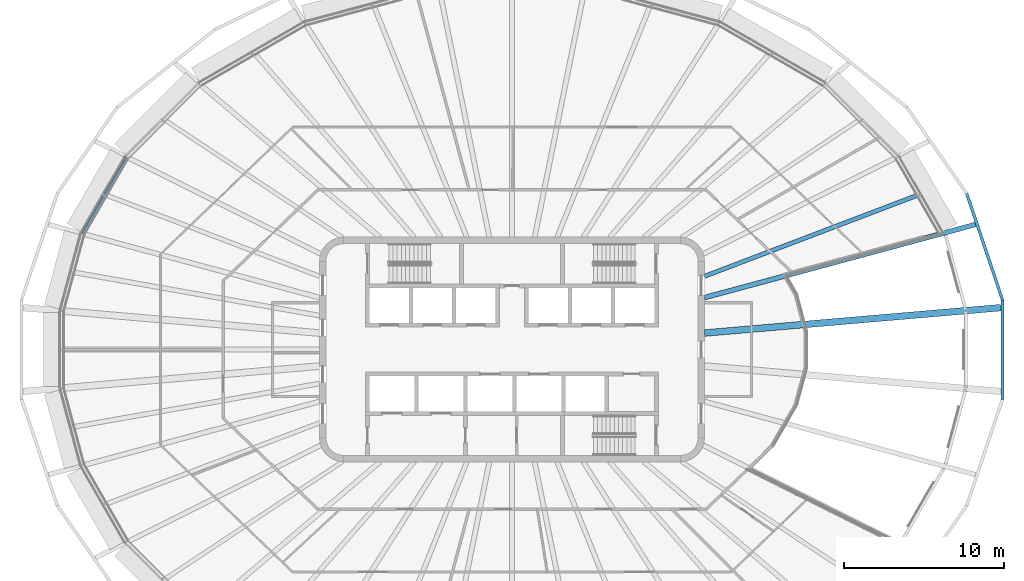
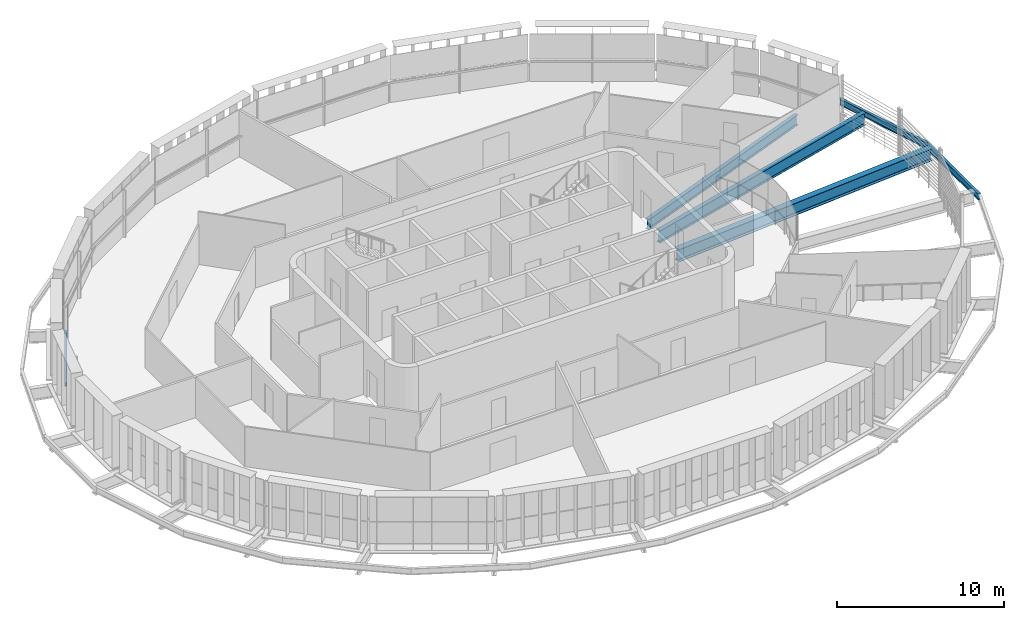
# One storey, part 4 of 17: 6 beams.
"""IFC4 building model written with IfcOpenShell, lengths in metres."""

from ifc_helpers import new_model, si_unit, direction, frame, origin, origin_2d, place, context, subcontext, project, spatial, i_section, extrude, material, material_profile, profile_set, type_object, element, save


model = new_model("IFC4")

# Units and contexts
model_context = context("Model", 3, precision=1e-05, world=origin(), true_north=direction((0.0, 1.0)))
body_context = subcontext(model_context, "Body", "Model", "MODEL_VIEW")
ifc_project = project(units=[si_unit("LENGTHUNIT", "METRE"), si_unit("AREAUNIT", "SQUARE_METRE"), si_unit("VOLUMEUNIT", "CUBIC_METRE"), si_unit("PLANEANGLEUNIT", "RADIAN"), si_unit("MASSUNIT", "GRAM", prefix="KILO")], contexts=[model_context])

# Site, building, storey
site_placement = place(None, origin())
site = spatial("IfcSite", under=ifc_project, at=site_placement, CompositionType="ELEMENT")
building_placement = place(site_placement, origin())
building = spatial("IfcBuilding", under=site, at=building_placement, Name="Sahrelin Media Tower", CompositionType="ELEMENT")
storey_placement = place(building_placement, frame((0.0, 0.0, 291.0)))
storey = spatial("IfcBuildingStorey", under=building, at=storey_placement, Name="L64", CompositionType="ELEMENT", Elevation=291.0)

# Beams
ifc_material = material(Name="Steel S355", Category="steel")
ifc_material_profile_1 = material_profile(ifc_material, i_section(OverallWidth=0.1650390625, OverallDepth=0.303466796875, WebThickness=0.006103515625, FlangeThickness=0.01025390625, FilletRadius=0.0087890625, at=origin_2d()), Name="UB 305x165x40")
ifc_profile_set_1 = profile_set([ifc_material_profile_1], Name="Steel S355")
beam_type_1 = type_object("IfcBeamType", Name="Edge beam EB2", PredefinedType="BEAM", material=ifc_profile_set_1)
beam_1_placement = place(storey_placement, frame((-26.73681640625, 7.208984375, -0.3017578125), z_axis=(0.500020724563, 0.866013438122, 0.0), x_axis=(-0.866013438122, 0.500020724563, 0.0)))
element("IfcBeam", 1, at=beam_1_placement, inside=storey, type_object=beam_type_1, Name="Edge beam L64-12", PredefinedType="BEAM", context=body_context, shape_type="SweptSolid", body=[
    extrude(i_section(OverallWidth=0.1650390625, OverallDepth=0.303466796875, WebThickness=0.006103515625, FlangeThickness=0.01025390625, FilletRadius=0.0087890625, at=origin_2d()), origin(), (0.0, 0.0, 1.0), 5.479248046875),
])
ifc_material_profile_2 = material_profile(ifc_material, i_section(OverallWidth=0.30322265625, OverallDepth=0.903076171875, WebThickness=0.01513671875, FlangeThickness=0.020263671875, FilletRadius=0.01904296875, at=origin_2d()), Name="UB 914x305x201")
ifc_profile_set_2 = profile_set([ifc_material_profile_2], Name="Steel S355")
beam_type_2 = type_object("IfcBeamType", Name="Radial primary beam PB11", PredefinedType="BEAM", material=ifc_profile_set_2)
beam_2_placement = place(storey_placement, frame((12.0, 3.238037109375, -0.6015625), z_axis=(0.965467470527, 0.260523633005, 0.0), x_axis=(-0.260523633005, 0.965467470527, 0.0)))
element("IfcBeam", 2, at=beam_2_placement, inside=storey, type_object=beam_type_2, Name="Radial beam L64-02", PredefinedType="BEAM", context=body_context, shape_type="SweptSolid", body=[
    extrude(i_section(OverallWidth=0.30322265625, OverallDepth=0.903076171875, WebThickness=0.01513671875, FlangeThickness=0.020263671875, FilletRadius=0.01904296875, at=origin_2d()), origin(), (0.0, 0.0, 1.0), 17.488525390625),
])
ifc_material_profile_3 = material_profile(ifc_material, i_section(OverallWidth=0.41845703125, OverallDepth=0.911865234375, WebThickness=0.019287109375, FlangeThickness=0.031982421875, FilletRadius=0.024169921875, at=origin_2d()), Name="UB 914x419x343")
ifc_profile_set_3 = profile_set([ifc_material_profile_3], Name="Steel S355")
beam_type_3 = type_object("IfcBeamType", Name="Radial primary beam PB12", PredefinedType="BEAM", material=ifc_profile_set_3)
beam_3_placement = place(storey_placement, frame((12.0, 1.02880859375, -0.60595703125), z_axis=(0.996344535432, 0.085425796542, 0.0), x_axis=(-0.085425796542, 0.996344535432, 0.0)))
element("IfcBeam", 3, at=beam_3_placement, inside=storey, type_object=beam_type_3, Name="Radial beam L64-01", PredefinedType="BEAM", context=body_context, shape_type="SweptSolid", body=[
    extrude(i_section(OverallWidth=0.41845703125, OverallDepth=0.911865234375, WebThickness=0.019287109375, FlangeThickness=0.031982421875, FilletRadius=0.024169921875, at=origin_2d()), origin(), (0.0, 0.0, 1.0), 18.53662109375),
])
ifc_material_profile_4 = material_profile(ifc_material, i_section(OverallWidth=0.26513671875, OverallDepth=0.75390625, WebThickness=0.0126953125, FlangeThickness=0.017578125, FilletRadius=0.0166015625, at=origin_2d()), Name="UB 762x267x147")
ifc_profile_set_4 = profile_set([ifc_material_profile_4], Name="Steel S355")
beam_type_4 = type_object("IfcBeamType", Name="Radial secondary beam SB9", PredefinedType="BEAM", material=ifc_profile_set_4)
beam_4_placement = place(storey_placement, frame((12.0, 4.567138671875, -0.527099609375), z_axis=(0.934593779724, 0.355716835279, 0.0), x_axis=(-0.355716835279, 0.934593779724, 0.0)))
element("IfcBeam", 4, at=beam_4_placement, inside=storey, type_object=beam_type_4, Name="Secondary beam L64-01", PredefinedType="BEAM", context=body_context, shape_type="SweptSolid", body=[
    extrude(i_section(OverallWidth=0.26513671875, OverallDepth=0.75390625, WebThickness=0.0126953125, FlangeThickness=0.017578125, FilletRadius=0.0166015625, at=origin_2d()), origin(), (0.0, 0.0, 1.0), 14.181640625),
])
ifc_material_profile_5 = material_profile(ifc_material, i_section(OverallWidth=0.1904296875, OverallDepth=0.45703125, WebThickness=0.009033203125, FlangeThickness=0.014404296875, FilletRadius=0.01025390625, at=origin_2d()), Name="UB 457x191x74")
ifc_profile_set_5 = profile_set([ifc_material_profile_5], Name="Steel S355")
beam_type_5 = type_object("IfcBeamType", Name="Tie chord TC5", PredefinedType="BEAM", material=ifc_profile_set_5)
beam_5_placement = place(storey_placement, frame((30.56396484375, 3.10205078125, -0.37841796875), z_axis=(-0.318941686003, 0.947774340721, 0.0), x_axis=(-0.947774340721, -0.318941686003, 0.0)))
element("IfcBeam", 5, at=beam_5_placement, inside=storey, type_object=beam_type_5, Name="Tie chord L64-01", PredefinedType="BEAM", context=body_context, shape_type="SweptSolid", body=[
    extrude(i_section(OverallWidth=0.1904296875, OverallDepth=0.45703125, WebThickness=0.009033203125, FlangeThickness=0.014404296875, FilletRadius=0.01025390625, at=origin_2d()), origin(), (0.0, 0.0, 1.0), 6.986572265625),
])
beam_6_placement = place(storey_placement, frame((30.56396484375, -3.10205078125, -0.37841796875), z_axis=(0.0, 1.0, 0.0), x_axis=(-1.0, 0.0, 0.0)))
element("IfcBeam", 6, at=beam_6_placement, inside=storey, type_object=beam_type_5, Name="Tie chord L64-24", PredefinedType="BEAM", context=body_context, shape_type="SweptSolid", body=[
    extrude(i_section(OverallWidth=0.1904296875, OverallDepth=0.45703125, WebThickness=0.009033203125, FlangeThickness=0.014404296875, FilletRadius=0.01025390625, at=origin_2d()), origin(), (0.0, 0.0, 1.0), 6.2041015625),
])

save(model, "model.ifc")
